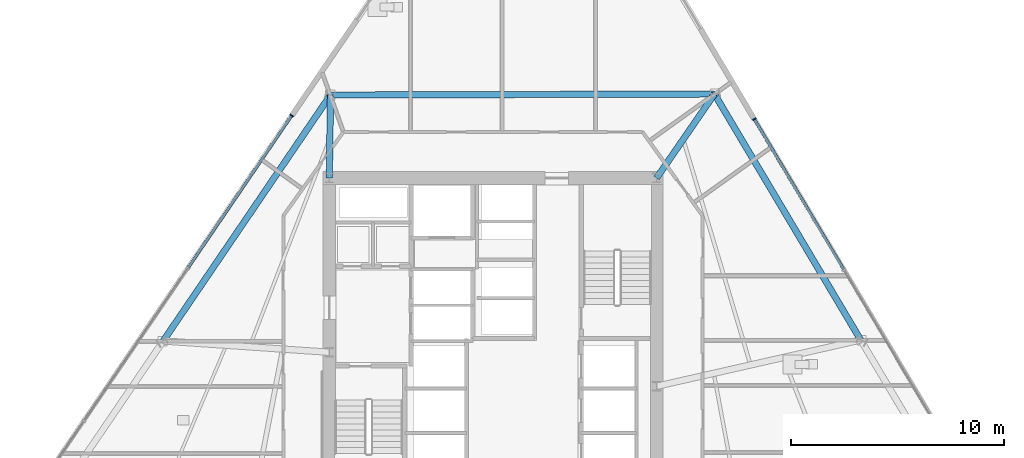
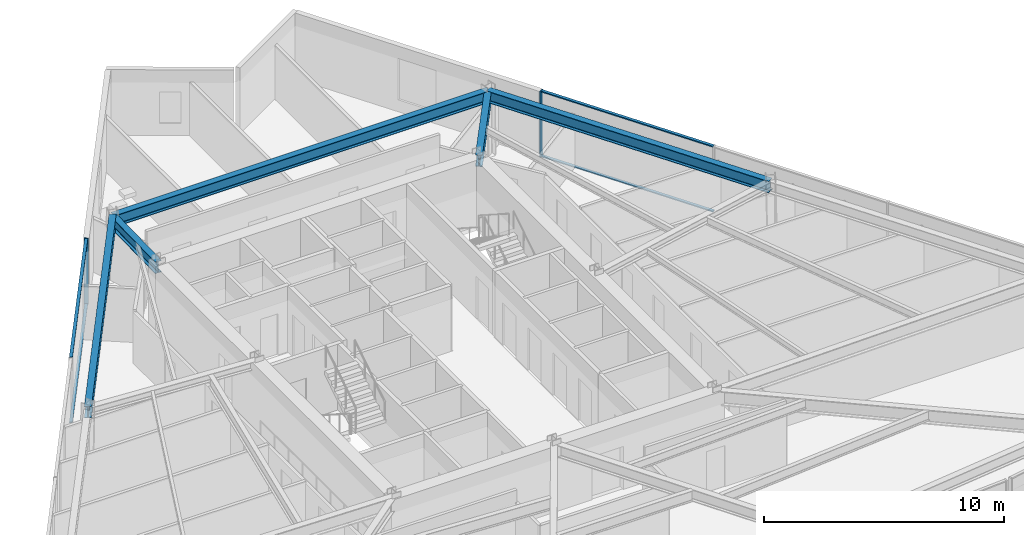
# One storey, part 7 of 17: 6 members, 5 beams, 2 elements without a shape of their own.
"""IFC4 building model written with IfcOpenShell, lengths in metres."""

from ifc_helpers import new_model, si_unit, direction, frame, origin, origin_2d, place, context, subcontext, project, spatial, rectangle, i_section, extrude, material, material_profile, profile_set, type_object, element, aggregate, save


model = new_model("IFC4")

# Units and contexts
model_context = context("Model", 3, precision=1e-05, world=origin(), true_north=direction((0.0, 1.0)))
body_context = subcontext(model_context, "Body", "Model", "MODEL_VIEW")
ifc_project = project(units=[si_unit("LENGTHUNIT", "METRE"), si_unit("AREAUNIT", "SQUARE_METRE"), si_unit("VOLUMEUNIT", "CUBIC_METRE"), si_unit("PLANEANGLEUNIT", "RADIAN"), si_unit("MASSUNIT", "GRAM", prefix="KILO")], contexts=[model_context])

# Site, building, storey
site_placement = place(None, origin())
site = spatial("IfcSite", under=ifc_project, at=site_placement, CompositionType="ELEMENT")
building_placement = place(site_placement, origin())
building = spatial("IfcBuilding", under=site, at=building_placement, Name="Savorim Split Tower", CompositionType="ELEMENT")
storey_placement = place(building_placement, frame((0.0, 0.0, 62.39990234375)))
storey = spatial("IfcBuildingStorey", under=building, at=storey_placement, Name="L16", CompositionType="ELEMENT", Elevation=62.39990234375)

# Beams
ifc_material_1 = material(Name="Steel S355", Category="steel")
ifc_material_profile_1 = material_profile(ifc_material_1, i_section(OverallWidth=0.300048828125, OverallDepth=0.60009765625, WebThickness=0.015380859375, FlangeThickness=0.030029296875, FilletRadius=0.027099609375, at=origin_2d()), Name="HEB 600")
ifc_profile_set_1 = profile_set([ifc_material_profile_1], Name="Steel S355")
beam_type_1 = type_object("IfcBeamType", Name="BM-PRI-HEB600", PredefinedType="BEAM", material=ifc_profile_set_1)
beam_1_placement = place(storey_placement, frame((10.4208984375, 14.14990234375, 3.050048828125), z_axis=(-0.567286825992, -0.82352028333, 0.0), x_axis=(0.82352028333, -0.567286825992, 0.0)))
element("IfcBeam", 1, at=beam_1_placement, inside=storey, type_object=beam_type_1, Name="L16 Primary Floor Girder RG-07", PredefinedType="BEAM", context=body_context, shape_type="SweptSolid", body=[
    extrude(i_section(OverallWidth=0.300048828125, OverallDepth=0.60009765625, WebThickness=0.015380859375, FlangeThickness=0.030029296875, FilletRadius=0.027099609375, at=origin_2d()), origin(), (0.0, 0.0, 1.0), 4.79638671875),
])
beam_2_placement = place(storey_placement, frame((-7.64404296875, 14.10107421875, 3.050048828125), z_axis=(-0.014329838342, -0.999897322595, 0.0), x_axis=(0.999897322595, -0.014329838342, 0.0)))
element("IfcBeam", 2, at=beam_2_placement, inside=storey, type_object=beam_type_1, Name="L16 Primary Floor Girder RG-08", PredefinedType="BEAM", context=body_context, shape_type="SweptSolid", body=[
    extrude(i_section(OverallWidth=0.300048828125, OverallDepth=0.60009765625, WebThickness=0.015380859375, FlangeThickness=0.030029296875, FilletRadius=0.027099609375, at=origin_2d()), origin(), (0.0, 0.0, 1.0), 3.901611328125),
])
ifc_material_profile_2 = material_profile(ifc_material_1, i_section(OverallWidth=0.300048828125, OverallDepth=0.590087890625, WebThickness=0.012939453125, FlangeThickness=0.02490234375, FilletRadius=0.027099609375, at=origin_2d()), Name="HEA 600")
ifc_profile_set_2 = profile_set([ifc_material_profile_2], Name="Steel S355")
beam_type_2 = type_object("IfcBeamType", Name="BM-SPN-HEA600", PredefinedType="SPANDREL", material=ifc_profile_set_2)
beam_3_placement = place(storey_placement, frame((17.300537109375, 2.580078125, 3.05517578125), z_axis=(-0.511090965618, 0.859526628362, 0.0), x_axis=(-0.859526628362, -0.511090965618, 0.0)))
element("IfcBeam", 3, at=beam_3_placement, inside=storey, type_object=beam_type_2, Name="L16 Perimeter Spandrel Beam 6", PredefinedType="SPANDREL", context=body_context, shape_type="SweptSolid", body=[
    extrude(i_section(OverallWidth=0.300048828125, OverallDepth=0.590087890625, WebThickness=0.012939453125, FlangeThickness=0.02490234375, FilletRadius=0.027099609375, at=origin_2d()), origin(), (0.0, 0.0, 1.0), 13.460693359375),
])
beam_4_placement = place(storey_placement, frame((10.4208984375, 14.14990234375, 3.05517578125), z_axis=(-0.999996347127, -0.002702911985, 0.0), x_axis=(0.002702911985, -0.999996347127, 0.0)))
element("IfcBeam", 4, at=beam_4_placement, inside=storey, type_object=beam_type_2, Name="L16 Perimeter Spandrel Beam 7", PredefinedType="SPANDREL", context=body_context, shape_type="SweptSolid", body=[
    extrude(i_section(OverallWidth=0.300048828125, OverallDepth=0.590087890625, WebThickness=0.012939453125, FlangeThickness=0.02490234375, FilletRadius=0.027099609375, at=origin_2d()), origin(), (0.0, 0.0, 1.0), 18.06494140625),
])
beam_5_placement = place(storey_placement, frame((-7.64404296875, 14.10107421875, 3.05517578125), z_axis=(-0.562462722511, -0.826822644698, 0.0), x_axis=(0.826822644698, -0.562462722511, 0.0)))
element("IfcBeam", 5, at=beam_5_placement, inside=storey, type_object=beam_type_2, Name="L16 Perimeter Spandrel Beam 8", PredefinedType="SPANDREL", context=body_context, shape_type="SweptSolid", body=[
    extrude(i_section(OverallWidth=0.300048828125, OverallDepth=0.590087890625, WebThickness=0.012939453125, FlangeThickness=0.02490234375, FilletRadius=0.027099609375, at=origin_2d()), origin(), (0.0, 0.0, 1.0), 13.9931640625),
])

# Curtain wall, member
ifc_material_2 = material(Name="Dark Ceramic-Fritted Insulated Glass", Category="glass")
curtain_wall_type = type_object("IfcCurtainWallType", Name="CW-TWR-FRIT-A", PredefinedType="NOTDEFINED", material=ifc_material_2)
curtain_wall_1_placement = place(storey_placement, origin())
curtain_wall_1 = element("IfcCurtainWall", 6, at=curtain_wall_1_placement, inside=storey, type_object=curtain_wall_type, Name="L16 Curtain Wall CW-L16-EAST", PredefinedType="NOTDEFINED")
ifc_material_3 = material(Name="Charcoal Anodised Aluminium", Category="aluminium")
ifc_material_profile_3 = material_profile(ifc_material_3, rectangle(XDim=0.179931640625, YDim=0.06494140625, at=origin_2d()), Name="ALU-M 180x65")
ifc_profile_set_3 = profile_set([ifc_material_profile_3], Name="Charcoal Anodised Aluminium")
member_type_1 = type_object("IfcMemberType", Name="CWM-180x65", PredefinedType="MULLION", material=ifc_profile_set_3)
member_1_placement = place(storey_placement, frame((12.296630859375, 12.96826171875, 0.0), z_axis=(0.0, 0.0, 1.0), x_axis=(-0.859525822673, -0.511092320583, 0.0)))
member_1 = element("IfcMember", 7, at=member_1_placement, type_object=member_type_1, Name="CW-02 mullion 5", PredefinedType="MULLION", context=body_context, shape_type="SweptSolid", body=[
    extrude(rectangle(XDim=0.179931640625, YDim=0.06494140625, at=origin_2d()), origin(), (0.0, 0.0, 1.0), 3.35009765625),
])

curtain_wall_2_placement = place(storey_placement, origin())
curtain_wall_2 = element("IfcCurtainWall", 8, at=curtain_wall_2_placement, inside=storey, type_object=curtain_wall_type, Name="L16 Curtain Wall CW-L16-WEST", PredefinedType="NOTDEFINED")
member_2_placement = place(storey_placement, frame((-9.468994140625, 13.136474609375, 0.0), z_axis=(0.0, 0.0, 1.0), x_axis=(0.826820172644, -0.562466356423, 0.0)))
member_2 = element("IfcMember", 9, at=member_2_placement, type_object=member_type_1, Name="CW-02 mullion 1", PredefinedType="MULLION", context=body_context, shape_type="SweptSolid", body=[
    extrude(rectangle(XDim=0.179931640625, YDim=0.06494140625, at=origin_2d()), origin(), (0.0, 0.0, 1.0), 3.35009765625),
])

# Member
ifc_material_profile_4 = material_profile(ifc_material_3, rectangle(XDim=0.139892578125, YDim=0.054931640625, at=origin_2d()), Name="ALU-T 140x55")
ifc_profile_set_4 = profile_set([ifc_material_profile_4], Name="Charcoal Anodised Aluminium")
member_type_2 = type_object("IfcMemberType", Name="CWT-140x55", PredefinedType="USERDEFINED", material=ifc_profile_set_4)
member_3_placement = place(storey_placement, frame((16.49853515625, 5.901611328125, 0.027587890625), z_axis=(-0.51109384724, 0.859524914888, 0.0), x_axis=(-0.859524914888, -0.51109384724, 0.0)))
member_3 = element("IfcMember", 10, at=member_3_placement, type_object=member_type_2, Name="CW-02 transom 4.1", ObjectType="TRANSOM", PredefinedType="USERDEFINED", context=body_context, shape_type="SweptSolid", body=[
    extrude(rectangle(XDim=0.139892578125, YDim=0.054931640625, at=origin_2d()), origin(), (0.0, 0.0, 1.0), 8.18896484375),
])

member_4_placement = place(storey_placement, frame((16.49853515625, 5.901611328125, 3.322509765625), z_axis=(-0.51109384724, 0.859524914888, 0.0), x_axis=(-0.859524914888, -0.51109384724, 0.0)))
member_4 = element("IfcMember", 11, at=member_4_placement, type_object=member_type_2, Name="CW-02 transom 4.2", ObjectType="TRANSOM", PredefinedType="USERDEFINED", context=body_context, shape_type="SweptSolid", body=[
    extrude(rectangle(XDim=0.139892578125, YDim=0.054931640625, at=origin_2d()), origin(), (0.0, 0.0, 1.0), 8.18896484375),
])

aggregate(curtain_wall_1, [member_1, member_3, member_4])

member_5_placement = place(storey_placement, frame((-9.487060546875, 13.109619140625, 0.027587890625), z_axis=(-0.562479161914, -0.826811461224, 0.0), x_axis=(0.826811461224, -0.562479161914, 0.0)))
member_5 = element("IfcMember", 12, at=member_5_placement, type_object=member_type_2, Name="CW-02 transom 1.1", ObjectType="TRANSOM", PredefinedType="USERDEFINED", context=body_context, shape_type="SweptSolid", body=[
    extrude(rectangle(XDim=0.139892578125, YDim=0.054931640625, at=origin_2d()), origin(), (0.0, 0.0, 1.0), 8.606201171875),
])

member_6_placement = place(storey_placement, frame((-9.487060546875, 13.109619140625, 3.322509765625), z_axis=(-0.562479161914, -0.826811461224, 0.0), x_axis=(0.826811461224, -0.562479161914, 0.0)))
member_6 = element("IfcMember", 13, at=member_6_placement, type_object=member_type_2, Name="CW-02 transom 1.2", ObjectType="TRANSOM", PredefinedType="USERDEFINED", context=body_context, shape_type="SweptSolid", body=[
    extrude(rectangle(XDim=0.139892578125, YDim=0.054931640625, at=origin_2d()), origin(), (0.0, 0.0, 1.0), 8.606201171875),
])

aggregate(curtain_wall_2, [member_2, member_5, member_6])

save(model, "model.ifc")
